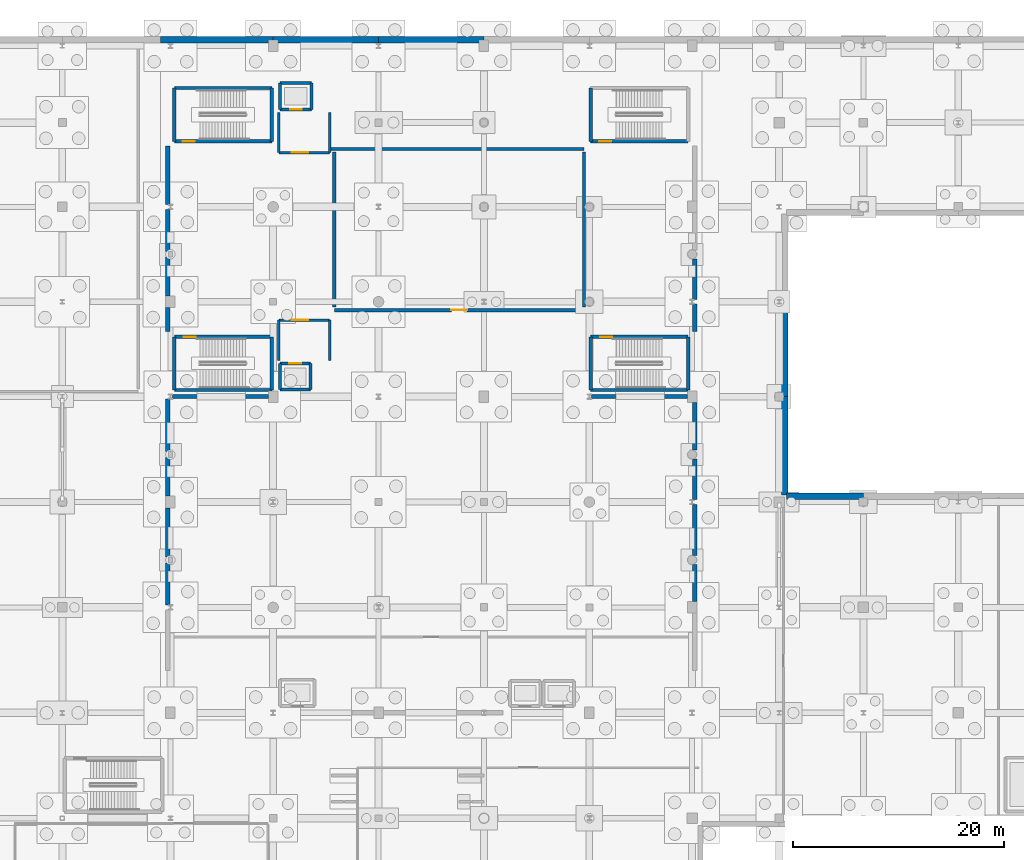
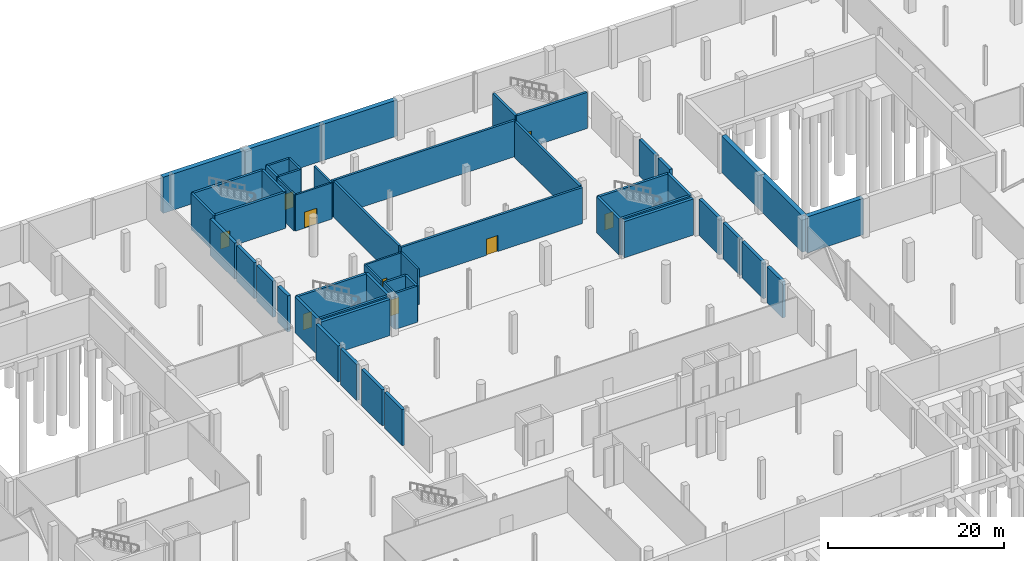
# One storey, part 47 of 60: 54 walls, 9 doors, 9 openings.
"""IFC4 building model written with IfcOpenShell, lengths in metres."""

import ifcopenshell
import ifcopenshell.guid

model = None  # the IFC model being written
_history = None  # IfcOwnerHistory: only IFC2X3 demands one
_inside = {}  # id of a spatial element -> (the spatial element, [elements in it])
_under = {}  # id of a project, library or spatial element -> (it, [spatial elements below it])
_declared = {}  # id of a project -> (the project, [libraries it declares])
_typed = {}  # id of a type object -> (the type object, [elements of that type])
_made_of = {}  # id of a material, layer set ... -> (it, [elements and type objects made of it])


def new_model(schema):
    """Start an empty IFC model of exactly this schema.

    Asked for "IFC4X3", IfcOpenShell would pick the latest addendum, in which some entities
    have other attributes; the version numbers below select the first issue.
    IFC2X3 requires an IfcOwnerHistory on every rooted entity: one is made here for all.
    """
    global model, _history
    if schema == "IFC4X3":
        model = ifcopenshell.file(schema_version=(4, 3, 0, 0))
    else:
        model = ifcopenshell.file(schema=schema)
    _inside.clear()
    _under.clear()
    _declared.clear()
    _typed.clear()
    _made_of.clear()
    _history = None
    if model.schema == "IFC2X3":
        org = make("IfcOrganization", Name="unknown")
        user = make(
            "IfcPersonAndOrganization",
            ThePerson=make("IfcPerson", FamilyName="unknown"),
            TheOrganization=org,
        )
        app = make(
            "IfcApplication",
            ApplicationDeveloper=org,
            Version="unknown",
            ApplicationFullName="unknown",
            ApplicationIdentifier="unknown",
        )
        _history = make(
            "IfcOwnerHistory",
            OwningUser=user,
            OwningApplication=app,
            ChangeAction="ADDED",
            CreationDate=0,
        )
    return model


def make(cls, **values):
    """One entity of the class cls with the attributes given. An attribute that is None is left unset."""
    return model.create_entity(
        cls, **{name: value for name, value in values.items() if value is not None}
    )


def rooted(cls, **values):
    """An entity with a GlobalId (a new one), such as an element, a storey or a relation."""
    return make(cls, GlobalId=ifcopenshell.guid.new(), OwnerHistory=_history, **values)


def si_unit(unit_type, name, prefix=None):
    """IfcSIUnit, for example si_unit("LENGTHUNIT", "METRE", prefix="MILLI")."""
    return make("IfcSIUnit", UnitType=unit_type, Prefix=prefix, Name=name)


def assignment(units):
    """IfcUnitAssignment: the units of a project."""
    return None if units is None else make("IfcUnitAssignment", Units=units)


def point(xyz):
    """IfcCartesianPoint."""
    return None if xyz is None else make("IfcCartesianPoint", Coordinates=xyz)


def direction(xyz):
    """IfcDirection."""
    return None if xyz is None else make("IfcDirection", DirectionRatios=xyz)


def frame(location, z_axis=None, x_axis=None):
    """IfcAxis2Placement3D, a coordinate frame: its origin and axes. An axis left out is left unset."""
    return make(
        "IfcAxis2Placement3D",
        Location=point(location),
        Axis=direction(z_axis),
        RefDirection=direction(x_axis),
    )


def frame_2d(location, x_axis=None):
    """IfcAxis2Placement2D, a coordinate frame in the plane: its origin and x axis."""
    return make(
        "IfcAxis2Placement2D", Location=point(location), RefDirection=direction(x_axis)
    )


def origin():
    """The frame at (0, 0, 0) with its axes left unset."""
    return frame((0.0, 0.0, 0.0))


def place(relative_to, where):
    """IfcLocalPlacement: puts the frame where relative to a parent placement (None: the world)."""
    return make(
        "IfcLocalPlacement", PlacementRelTo=relative_to, RelativePlacement=where
    )


def context(
    kind, dimensions, precision=None, world=None, true_north=None, identifier=None
):
    """IfcGeometricRepresentationContext, for example the 3D "Model" context."""
    return make(
        "IfcGeometricRepresentationContext",
        ContextIdentifier=identifier,
        ContextType=kind,
        CoordinateSpaceDimension=dimensions,
        Precision=precision,
        WorldCoordinateSystem=world,
        TrueNorth=true_north,
    )


def subcontext(parent, identifier, kind, view, scale=None):
    """IfcGeometricRepresentationSubContext, for example "Body" below "Model"."""
    return make(
        "IfcGeometricRepresentationSubContext",
        ContextIdentifier=identifier,
        ContextType=kind,
        ParentContext=parent,
        TargetScale=scale,
        TargetView=view,
    )


def project(units=None, contexts=None):
    """IfcProject with its units and contexts."""
    return rooted(
        "IfcProject",
        Name="project",
        RepresentationContexts=contexts,
        UnitsInContext=assignment(units),
    )


def spatial(cls, under=None, at=None, **own):
    """A site, building, storey or space (cls), placed at a placement, below another one or the project."""
    s = rooted(cls, ObjectPlacement=at, **own)
    if under is not None:
        _under.setdefault(under.id(), (under, []))[1].append(s)
    return s


def profile(cls, at=None, kind="AREA", **sizes):
    """A parametric profile (cls). Its sizes go by their IFC names, for example OverallWidth=200.0."""
    return make(cls, ProfileType=kind, Position=at, **sizes)


def rectangle(**sizes):
    """IfcRectangleProfileDef."""
    return profile("IfcRectangleProfileDef", **sizes)


def extrude(swept, where, along, depth):
    """IfcExtrudedAreaSolid: the profile swept, set in the frame where, extruded along a direction by depth."""
    return make(
        "IfcExtrudedAreaSolid",
        SweptArea=swept,
        Position=where,
        ExtrudedDirection=direction(along),
        Depth=depth,
    )


def shape(context_of_items, identifier, shape_type, items):
    """IfcShapeRepresentation: the items that make up one representation, for example the "Body"."""
    return make(
        "IfcShapeRepresentation",
        ContextOfItems=context_of_items,
        RepresentationIdentifier=identifier,
        RepresentationType=shape_type,
        Items=items,
    )


def material(Name=None, Category=None):
    """IfcMaterial."""
    return make("IfcMaterial", Name=Name, Category=Category)


def layer(
    of_material, thickness, ventilated=None, Name=None, Category=None, Priority=None
):
    """IfcMaterialLayer: one layer of a wall or slab, of a material (None: an air gap)."""
    return make(
        "IfcMaterialLayer",
        Material=of_material,
        LayerThickness=thickness,
        IsVentilated=ventilated,
        Name=Name,
        Category=Category,
        Priority=Priority,
    )


def layer_set(layers, Name=None):
    """IfcMaterialLayerSet."""
    return make("IfcMaterialLayerSet", MaterialLayers=layers, LayerSetName=Name)


def made_of(thing, what):
    """Note that an element or type object is made of a material, layer set ...; save() writes the relation."""
    if what is not None:
        _made_of.setdefault(what.id(), (what, []))[1].append(thing)
    return thing


def type_object(cls, material=None, **own):
    """A type object (cls), such as IfcWallType, which elements share."""
    return made_of(rooted(cls, **own), material)


def element(
    cls,
    number,
    at=None,
    inside=None,
    cuts=None,
    type_object=None,
    material=None,
    context=None,
    identifier="Body",
    shape_type=None,
    held_by="IfcProductDefinitionShape",
    body=None,
    shapes=None,
    **own,
):
    """One element of the class cls, such as IfcWall. Its Tag is "e" and its number.

    at: its placement. inside: the storey or other place that contains it. cuts: it is an
    opening in that element (IfcRelVoidsElement). A single representation is given by context,
    identifier, shape_type and body (its items); several are given by shapes. held_by: the class
    of the entity that holds the representations. save() writes the other relations.
    """
    e = rooted(cls, Tag="e%d" % number, ObjectPlacement=at, **own)
    if body is not None:
        shapes = [shape(context, identifier, shape_type, body)]
    if shapes is not None:
        e.Representation = make(held_by, Representations=shapes)
    if inside is not None:
        _inside.setdefault(inside.id(), (inside, []))[1].append(e)
    if cuts is not None:
        rooted(
            "IfcRelVoidsElement", RelatingBuildingElement=cuts, RelatedOpeningElement=e
        )
    if type_object is not None:
        _typed.setdefault(type_object.id(), (type_object, []))[1].append(e)
    return made_of(e, material)


def fill(opening, filler):
    """IfcRelFillsElement: the door or window that sits in an opening."""
    return rooted(
        "IfcRelFillsElement",
        RelatingOpeningElement=opening,
        RelatedBuildingElement=filler,
    )


def aggregate(whole, parts):
    """IfcRelAggregates: a whole, such as a stair, and the parts it consists of."""
    return rooted("IfcRelAggregates", RelatingObject=whole, RelatedObjects=parts)


def save(model, path):
    """Write the relations noted so far, then the file.

    IfcRelAggregates (storeys below a building ...), IfcRelContainedInSpatialStructure (elements
    in a storey), IfcRelDefinesByType, IfcRelAssociatesMaterial and IfcRelDeclares: one each for
    every whole, place, type object, material and project.
    """
    for whole, parts in _under.values():
        aggregate(whole, parts)
    for where, things in _inside.values():
        rooted(
            "IfcRelContainedInSpatialStructure",
            RelatedElements=things,
            RelatingStructure=where,
        )
    for kind, things in _typed.values():
        rooted("IfcRelDefinesByType", RelatedObjects=things, RelatingType=kind)
    for what, things in _made_of.values():
        rooted("IfcRelAssociatesMaterial", RelatedObjects=things, RelatingMaterial=what)
    for by, libraries in _declared.values():
        rooted("IfcRelDeclares", RelatingContext=by, RelatedDefinitions=libraries)
    model.write(path)


model = new_model("IFC4")

# Units and contexts
model_context = context("Model", 3, precision=1e-05, world=origin(), true_north=direction((0.0, 1.0)))
body_context = subcontext(model_context, "Body", "Model", "MODEL_VIEW")
ifc_project = project(units=[si_unit("LENGTHUNIT", "METRE"), si_unit("AREAUNIT", "SQUARE_METRE"), si_unit("VOLUMEUNIT", "CUBIC_METRE"), si_unit("PLANEANGLEUNIT", "RADIAN"), si_unit("MASSUNIT", "GRAM", prefix="KILO")], contexts=[model_context])

# Site, building, storey
site_placement = place(None, origin())
site = spatial("IfcSite", under=ifc_project, at=site_placement, CompositionType="ELEMENT")
building_placement = place(site_placement, origin())
building = spatial("IfcBuilding", under=site, at=building_placement, Name="Trimount Lyric Opera House", CompositionType="ELEMENT")
storey_placement = place(building_placement, frame((0.0, 0.0, -5.39990234375)))
storey = spatial("IfcBuildingStorey", under=building, at=storey_placement, Name="B1", CompositionType="ELEMENT", Elevation=-5.39990234375)

# Walls
ifc_material_1 = material(Name="Concrete C40/50", Category="concrete")
ifc_layer_1 = layer(ifc_material_1, 0.60009765625)
ifc_layer_set_1 = layer_set([ifc_layer_1], Name="WL-RET600")
wall_type_1 = type_object("IfcWallType", Name="WL-RET600", PredefinedType="USERDEFINED", material=ifc_layer_set_1)
wall_1_placement = place(storey_placement, frame((63.320068359375, 117.860107421875, 0.0), z_axis=(0.0, 0.0, 1.0), x_axis=(1.0, 0.0, 0.0)))
element("IfcWall", 1, at=wall_1_placement, inside=storey, type_object=wall_type_1, Name="B1 exterior retaining wall 016", ObjectType="RETAININGWALL", PredefinedType="USERDEFINED", context=body_context, shape_type="SweptSolid", body=[
    extrude(rectangle(XDim=10.679931640625, YDim=0.60009765625, at=frame_2d((5.33984375, 0.0))), origin(), (0.0, 0.0, 1.0), 5.0),
])
for number, where, z_axis, x_axis, name in (
    (2, (74.0, 117.860107421875, 0.0), (0.0, 0.0, 1.0), (1.0, 0.0, 0.0), "B1 exterior retaining wall 017"),
    (3, (84.0, 117.860107421875, 0.0), (0.0, 0.0, 1.0), (1.0, 0.0, 0.0), "B1 exterior retaining wall 018"),
):
    element("IfcWall", number, at=place(storey_placement, frame(where, z_axis=z_axis, x_axis=x_axis)), inside=storey, type_object=wall_type_1, Name=name, ObjectType="RETAININGWALL", PredefinedType="USERDEFINED", context=body_context, shape_type="SweptSolid", body=[
        extrude(rectangle(XDim=10.0, YDim=0.60009765625, at=frame_2d((5.0, 0.0))), origin(), (0.0, 0.0, 1.0), 5.0),
    ])
wall_2_placement = place(storey_placement, frame((122.679931640625, 74.5400390625, 0.0), z_axis=(0.0, 0.0, 1.0), x_axis=(1.0, 0.0, 0.0)))
element("IfcWall", 4, at=wall_2_placement, inside=storey, type_object=wall_type_1, Name="B1 exterior retaining wall 082", ObjectType="RETAININGWALL", PredefinedType="USERDEFINED", context=body_context, shape_type="SweptSolid", body=[
    extrude(rectangle(XDim=7.320068359375, YDim=0.60009765625, at=frame_2d((3.66015625, 0.0))), origin(), (0.0, 0.0, 1.0), 5.02001953125),
])
wall_3_placement = place(storey_placement, frame((122.5400390625, 93.0, 0.0), z_axis=(0.0, 0.0, 1.0), x_axis=(0.0, -1.0, 0.0)))
element("IfcWall", 5, at=wall_3_placement, inside=storey, type_object=wall_type_1, Name="B1 exterior retaining wall 092", ObjectType="RETAININGWALL", PredefinedType="USERDEFINED", context=body_context, shape_type="SweptSolid", body=[
    extrude(rectangle(XDim=9.0, YDim=0.60009765625, at=frame_2d((4.5, 0.0))), origin(), (0.0, 0.0, 1.0), 5.02001953125),
])
wall_4_placement = place(storey_placement, frame((122.5400390625, 84.0, 0.0), z_axis=(0.0, 0.0, 1.0), x_axis=(0.0, -1.0, 0.0)))
element("IfcWall", 6, at=wall_4_placement, inside=storey, type_object=wall_type_1, Name="B1 exterior retaining wall 093", ObjectType="RETAININGWALL", PredefinedType="USERDEFINED", context=body_context, shape_type="SweptSolid", body=[
    extrude(rectangle(XDim=9.320068359375, YDim=0.60009765625, at=frame_2d((4.66015625, 0.0))), origin(), (0.0, 0.0, 1.0), 5.02001953125),
])
ifc_material_2 = material(Name="Concrete C40/50", Category="concrete")
ifc_layer_2 = layer(ifc_material_2, 0.280029296875)
ifc_layer_set_2 = layer_set([ifc_layer_2], Name="WL-SH280")
wall_type_2 = type_object("IfcWallType", Name="WL-SH280", PredefinedType="SHEAR", material=ifc_layer_set_2)
wall_5_placement = place(storey_placement, frame((74.659912109375, 84.659912109375, 0.0), z_axis=(0.0, 0.0, 1.0), x_axis=(1.0, 0.0, 0.0)))
element("IfcWall", 7, at=wall_5_placement, inside=storey, type_object=wall_type_2, Name="Lift LF-01 B1 south shaft wall", PredefinedType="SHEAR", context=body_context, shape_type="SweptSolid", body=[
    extrude(rectangle(XDim=2.880126953125, YDim=0.280029296875, at=frame_2d((1.43994140625, 0.0))), origin(), (0.0, 0.0, 1.0), 5.0),
])

# Wall, opening, door
wall_6_placement = place(storey_placement, frame((77.5400390625, 87.139892578125, 0.0), z_axis=(0.0, 0.0, 1.0), x_axis=(-1.0, 0.0, 0.0)))
wall_6 = element("IfcWall", 8, at=wall_6_placement, inside=storey, type_object=wall_type_2, Name="Lift LF-01 B1 north shaft wall", PredefinedType="SHEAR", context=body_context, shape_type="SweptSolid", body=[
    extrude(rectangle(XDim=2.880126953125, YDim=0.280029296875, at=frame_2d((1.43994140625, 0.0))), origin(), (0.0, 0.0, 1.0), 5.0),
])
opening_1_placement = place(wall_6_placement, frame((0.889892578125, 0.0, 0.0)))
opening_1 = element("IfcOpeningElement", 9, at=opening_1_placement, cuts=wall_6, Name="Opening DT-LD1", PredefinedType="OPENING", context=body_context, shape_type="SweptSolid", body=[
    extrude(rectangle(XDim=1.10009765625, YDim=2.199951171875, at=frame_2d((0.550048828125, 1.10009765625))), frame((0.0, 0.14990234375, 0.0), z_axis=(0.0, -1.0, 0.0), x_axis=(1.0, 0.0, 0.0)), (0.0, 0.0, 1.0), 0.300048828125),
])
ifc_material_3 = material(Name="Brushed Stainless Steel", Category="steel")
door_type_1 = type_object("IfcDoorType", Name="DT-LD1", OperationType="SLIDING_TO_LEFT", PredefinedType="DOOR", material=ifc_material_3)
door_1_placement = place(opening_1_placement, origin())
door_1 = element("IfcDoor", 10, at=door_1_placement, inside=storey, type_object=door_type_1, Name="D-057", OperationType="SLIDING_TO_LEFT", OverallHeight=2.199951171875, OverallWidth=1.10009765625, PredefinedType="DOOR", context=body_context, shape_type="SweptSolid", body=[
    extrude(rectangle(XDim=1.10009765625, YDim=2.199951171875, at=frame_2d((0.550048828125, 1.10009765625))), frame((0.0, 0.02490234375, 0.0), z_axis=(0.0, -1.0, 0.0), x_axis=(1.0, 0.0, 0.0)), (0.0, 0.0, 1.0), 0.050048828125),
])
fill(opening_1, door_1)

# Walls
for number, where, z_axis, x_axis, name in (
    (11, (74.659912109375, 87.139892578125, 0.0), (0.0, 0.0, 1.0), (0.0, -1.0, 0.0), "Lift LF-01 B1 west shaft wall"),
    (12, (77.5400390625, 84.659912109375, 0.0), (0.0, 0.0, 1.0), (0.0, 1.0, 0.0), "Lift LF-01 B1 east shaft wall"),
):
    element("IfcWall", number, at=place(storey_placement, frame(where, z_axis=z_axis, x_axis=x_axis)), inside=storey, type_object=wall_type_2, Name=name, PredefinedType="SHEAR", context=body_context, shape_type="SweptSolid", body=[
        extrude(rectangle(XDim=2.47998046875, YDim=0.280029296875, at=frame_2d((1.239990234375, 0.0))), origin(), (0.0, 0.0, 1.0), 5.0),
    ])

# Wall, opening, door
wall_7_placement = place(storey_placement, frame((74.659912109375, 111.260009765625, 0.0), z_axis=(0.0, 0.0, 1.0), x_axis=(1.0, 0.0, 0.0)))
wall_7 = element("IfcWall", 13, at=wall_7_placement, inside=storey, type_object=wall_type_2, Name="Lift LF-05 B1 south shaft wall", PredefinedType="SHEAR", context=body_context, shape_type="SweptSolid", body=[
    extrude(rectangle(XDim=2.97998046875, YDim=0.280029296875, at=frame_2d((1.489990234375, 0.0))), origin(), (0.0, 0.0, 1.0), 5.0),
])
opening_2_placement = place(wall_7_placement, frame((0.93994140625, 0.0, 0.0)))
opening_2 = element("IfcOpeningElement", 14, at=opening_2_placement, cuts=wall_7, Name="Opening DT-LD1", PredefinedType="OPENING", context=body_context, shape_type="SweptSolid", body=[
    extrude(rectangle(XDim=1.10009765625, YDim=2.199951171875, at=frame_2d((0.550048828125, 1.10009765625))), frame((0.0, 0.14990234375, 0.0), z_axis=(0.0, -1.0, 0.0), x_axis=(1.0, 0.0, 0.0)), (0.0, 0.0, 1.0), 0.300048828125),
])
door_2_placement = place(opening_2_placement, origin())
door_2 = element("IfcDoor", 15, at=door_2_placement, inside=storey, type_object=door_type_1, Name="D-091", OperationType="SLIDING_TO_LEFT", OverallHeight=2.199951171875, OverallWidth=1.10009765625, PredefinedType="DOOR", context=body_context, shape_type="SweptSolid", body=[
    extrude(rectangle(XDim=1.10009765625, YDim=2.199951171875, at=frame_2d((0.550048828125, 1.10009765625))), frame((0.0, 0.02490234375, 0.0), z_axis=(0.0, -1.0, 0.0), x_axis=(1.0, 0.0, 0.0)), (0.0, 0.0, 1.0), 0.050048828125),
])
fill(opening_2, door_2)

# Walls
wall_8_placement = place(storey_placement, frame((77.639892578125, 113.739990234375, 0.0), z_axis=(0.0, 0.0, 1.0), x_axis=(-1.0, 0.0, 0.0)))
element("IfcWall", 16, at=wall_8_placement, inside=storey, type_object=wall_type_2, Name="Lift LF-05 B1 north shaft wall", PredefinedType="SHEAR", context=body_context, shape_type="SweptSolid", body=[
    extrude(rectangle(XDim=2.97998046875, YDim=0.280029296875, at=frame_2d((1.489990234375, 0.0))), origin(), (0.0, 0.0, 1.0), 5.0),
])
for number, where, z_axis, x_axis, name in (
    (17, (74.659912109375, 113.739990234375, 0.0), (0.0, 0.0, 1.0), (0.0, -1.0, 0.0), "Lift LF-05 B1 west shaft wall"),
    (18, (77.639892578125, 111.260009765625, 0.0), (0.0, 0.0, 1.0), (0.0, 1.0, 0.0), "Lift LF-05 B1 east shaft wall"),
):
    element("IfcWall", number, at=place(storey_placement, frame(where, z_axis=z_axis, x_axis=x_axis)), inside=storey, type_object=wall_type_2, Name=name, PredefinedType="SHEAR", context=body_context, shape_type="SweptSolid", body=[
        extrude(rectangle(XDim=2.47998046875, YDim=0.280029296875, at=frame_2d((1.239990234375, 0.0))), origin(), (0.0, 0.0, 1.0), 5.0),
    ])

# Wall, opening, door
ifc_material_4 = material(Name="Concrete C40/50", Category="concrete")
ifc_layer_3 = layer(ifc_material_4, 0.300048828125)
ifc_layer_set_3 = layer_set([ifc_layer_3], Name="WL-SH300")
wall_type_3 = type_object("IfcWallType", Name="WL-SH300", PredefinedType="SHEAR", material=ifc_layer_set_3)
wall_9_placement = place(storey_placement, frame((79.800048828125, 92.199951171875, 0.0), z_axis=(0.0, 0.0, 1.0), x_axis=(1.0, 0.0, 0.0)))
wall_9 = element("IfcWall", 19, at=wall_9_placement, inside=storey, type_object=wall_type_3, Name="B1 Understage Stage Machinery Hall S partition", PredefinedType="SHEAR", context=body_context, shape_type="SweptSolid", body=[
    extrude(rectangle(XDim=23.699951171875, YDim=0.300048828125, at=frame_2d((11.85009765625, 0.0))), origin(), (0.0, 0.0, 1.0), 5.0),
])
opening_3_placement = place(wall_9_placement, frame((11.10009765625, 0.0, 0.0)))
opening_3 = element("IfcOpeningElement", 20, at=opening_3_placement, cuts=wall_9, Name="Opening DT-PL1", PredefinedType="OPENING", context=body_context, shape_type="SweptSolid", body=[
    extrude(rectangle(XDim=1.5, YDim=2.25, at=frame_2d((0.75, 1.125))), frame((0.0, 0.16015625, 0.0), z_axis=(0.0, -1.0, 0.0), x_axis=(1.0, 0.0, 0.0)), (0.0, 0.0, 1.0), 0.320068359375),
])
ifc_material_5 = material(Name="Fire-Rated Painted Steel", Category="steel")
door_type_2 = type_object("IfcDoorType", Name="DT-PL1", OperationType="DOUBLE_DOOR_SINGLE_SWING", PredefinedType="DOOR", material=ifc_material_5)
door_3_placement = place(opening_3_placement, origin())
door_3 = element("IfcDoor", 21, at=door_3_placement, inside=storey, type_object=door_type_2, Name="D-164", OperationType="DOUBLE_DOOR_SINGLE_SWING", OverallHeight=2.25, OverallWidth=1.5, PredefinedType="DOOR", context=body_context, shape_type="SweptSolid", body=[
    extrude(rectangle(XDim=1.5, YDim=2.25, at=frame_2d((0.75, 1.125))), frame((0.0, 0.02490234375, 0.0), z_axis=(0.0, -1.0, 0.0), x_axis=(1.0, 0.0, 0.0)), (0.0, 0.0, 1.0), 0.050048828125),
])
fill(opening_3, door_3)

# Walls
wall_10_placement = place(storey_placement, frame((103.5, 107.5, 0.0), z_axis=(0.0, 0.0, 1.0), x_axis=(-1.0, 0.0, 0.0)))
element("IfcWall", 22, at=wall_10_placement, inside=storey, type_object=wall_type_3, Name="B1 Understage Stage Machinery Hall N partition", PredefinedType="SHEAR", context=body_context, shape_type="SweptSolid", body=[
    extrude(rectangle(XDim=24.010009765625, YDim=0.300048828125, at=frame_2d((12.0048828125, 0.0))), origin(), (0.0, 0.0, 1.0), 5.0),
])
for number, where, z_axis, x_axis, name in (
    (23, (79.800048828125, 107.199951171875, 0.0), (0.0, 0.0, 1.0), (0.0, -1.0, 0.0), "B1 Understage Stage Machinery Hall W partition"),
    (24, (103.5, 92.5, 0.0), (0.0, 0.0, 1.0), (0.0, 1.0, 0.0), "B1 Understage Stage Machinery Hall E partition"),
):
    element("IfcWall", number, at=place(storey_placement, frame(where, z_axis=z_axis, x_axis=x_axis)), inside=storey, type_object=wall_type_3, Name=name, PredefinedType="SHEAR", context=body_context, shape_type="SweptSolid", body=[
        extrude(rectangle(XDim=14.699951171875, YDim=0.300048828125, at=frame_2d((7.35009765625, 0.0))), origin(), (0.0, 0.0, 1.0), 5.0),
    ])

# Wall, opening, door
ifc_material_6 = material(Name="Concrete C40/50", Category="concrete")
ifc_layer_4 = layer(ifc_material_6, 0.320068359375)
ifc_layer_set_4 = layer_set([ifc_layer_4], Name="WL-SH320")
wall_type_4 = type_object("IfcWallType", Name="WL-SH320", PredefinedType="SHEAR", material=ifc_layer_set_4)
wall_11_placement = place(storey_placement, frame((64.625, 108.22509765625, 0.0), z_axis=(0.0, 0.0, 1.0), x_axis=(1.0, 0.0, 0.0)))
wall_11 = element("IfcWall", 25, at=wall_11_placement, inside=storey, type_object=wall_type_4, Name="K1 B1 south shaft wall", PredefinedType="SHEAR", context=body_context, shape_type="SweptSolid", body=[
    extrude(rectangle(XDim=9.25, YDim=0.320068359375, at=frame_2d((4.625, 0.0))), origin(), (0.0, 0.0, 1.0), 5.0),
])
opening_4_placement = place(wall_11_placement, frame((0.800048828125, 0.0, 0.0)))
opening_4 = element("IfcOpeningElement", 26, at=opening_4_placement, cuts=wall_11, Name="Opening DT-ST1", PredefinedType="OPENING", context=body_context, shape_type="SweptSolid", body=[
    extrude(rectangle(XDim=1.14990234375, YDim=2.199951171875, at=frame_2d((0.574951171875, 1.10009765625))), frame((0.0, 0.169921875, 0.0), z_axis=(0.0, -1.0, 0.0), x_axis=(1.0, 0.0, 0.0)), (0.0, 0.0, 1.0), 0.340087890625),
])
ifc_material_7 = material(Name="Fire-Rated Hollow Steel", Category="steel")
door_type_3 = type_object("IfcDoorType", Name="DT-ST1", OperationType="NOTDEFINED", PredefinedType="DOOR", material=ifc_material_7)
door_4_placement = place(opening_4_placement, origin())
door_4 = element("IfcDoor", 27, at=door_4_placement, inside=storey, type_object=door_type_3, Name="D-007", OperationType="SINGLE_SWING_LEFT", OverallHeight=2.199951171875, OverallWidth=1.14990234375, PredefinedType="DOOR", context=body_context, shape_type="SweptSolid", body=[
    extrude(rectangle(XDim=1.14990234375, YDim=2.199951171875, at=frame_2d((0.574951171875, 1.10009765625))), frame((0.0, 0.02490234375, 0.0), z_axis=(0.0, -1.0, 0.0), x_axis=(1.0, 0.0, 0.0)), (0.0, 0.0, 1.0), 0.050048828125),
])
fill(opening_4, door_4)

# Walls
wall_12_placement = place(storey_placement, frame((73.875, 113.27490234375, 0.0), z_axis=(0.0, 0.0, 1.0), x_axis=(-1.0, 0.0, 0.0)))
element("IfcWall", 28, at=wall_12_placement, inside=storey, type_object=wall_type_4, Name="K1 B1 north shaft wall", PredefinedType="SHEAR", context=body_context, shape_type="SweptSolid", body=[
    extrude(rectangle(XDim=9.25, YDim=0.320068359375, at=frame_2d((4.625, 0.0))), origin(), (0.0, 0.0, 1.0), 5.0),
])
for number, where, z_axis, x_axis, name in (
    (29, (64.625, 113.27490234375, 0.0), (0.0, 0.0, 1.0), (0.0, -1.0, 0.0), "K1 B1 west shaft wall"),
    (30, (73.875, 108.22509765625, 0.0), (0.0, 0.0, 1.0), (0.0, 1.0, 0.0), "K1 B1 east shaft wall"),
):
    element("IfcWall", number, at=place(storey_placement, frame(where, z_axis=z_axis, x_axis=x_axis)), inside=storey, type_object=wall_type_4, Name=name, PredefinedType="SHEAR", context=body_context, shape_type="SweptSolid", body=[
        extrude(rectangle(XDim=5.0498046875, YDim=0.320068359375, at=frame_2d((2.52490234375, 0.0))), origin(), (0.0, 0.0, 1.0), 5.0),
    ])

# Wall, opening, door
wall_13_placement = place(storey_placement, frame((104.125, 108.22509765625, 0.0), z_axis=(0.0, 0.0, 1.0), x_axis=(1.0, 0.0, 0.0)))
wall_13 = element("IfcWall", 31, at=wall_13_placement, inside=storey, type_object=wall_type_4, Name="K2 B1 south shaft wall", PredefinedType="SHEAR", context=body_context, shape_type="SweptSolid", body=[
    extrude(rectangle(XDim=9.25, YDim=0.320068359375, at=frame_2d((4.625, 0.0))), origin(), (0.0, 0.0, 1.0), 5.0),
])
opening_5_placement = place(wall_13_placement, frame((0.800048828125, 0.0, 0.0)))
opening_5 = element("IfcOpeningElement", 32, at=opening_5_placement, cuts=wall_13, Name="Opening DT-ST1", PredefinedType="OPENING", context=body_context, shape_type="SweptSolid", body=[
    extrude(rectangle(XDim=1.14990234375, YDim=2.199951171875, at=frame_2d((0.574951171875, 1.10009765625))), frame((0.0, 0.169921875, 0.0), z_axis=(0.0, -1.0, 0.0), x_axis=(1.0, 0.0, 0.0)), (0.0, 0.0, 1.0), 0.340087890625),
])
door_5_placement = place(opening_5_placement, origin())
door_5 = element("IfcDoor", 33, at=door_5_placement, inside=storey, type_object=door_type_3, Name="D-015", OperationType="SINGLE_SWING_LEFT", OverallHeight=2.199951171875, OverallWidth=1.14990234375, PredefinedType="DOOR", context=body_context, shape_type="SweptSolid", body=[
    extrude(rectangle(XDim=1.14990234375, YDim=2.199951171875, at=frame_2d((0.574951171875, 1.10009765625))), frame((0.0, 0.02490234375, 0.0), z_axis=(0.0, -1.0, 0.0), x_axis=(1.0, 0.0, 0.0)), (0.0, 0.0, 1.0), 0.050048828125),
])
fill(opening_5, door_5)

# Walls
wall_14_placement = place(storey_placement, frame((104.125, 113.27490234375, 0.0), z_axis=(0.0, 0.0, 1.0), x_axis=(0.0, -1.0, 0.0)))
element("IfcWall", 34, at=wall_14_placement, inside=storey, type_object=wall_type_4, Name="K2 B1 west shaft wall", PredefinedType="SHEAR", context=body_context, shape_type="SweptSolid", body=[
    extrude(rectangle(XDim=5.0498046875, YDim=0.320068359375, at=frame_2d((2.52490234375, 0.0))), origin(), (0.0, 0.0, 1.0), 5.0),
])
wall_15_placement = place(storey_placement, frame((64.625, 84.625, 0.0), z_axis=(0.0, 0.0, 1.0), x_axis=(1.0, 0.0, 0.0)))
element("IfcWall", 35, at=wall_15_placement, inside=storey, type_object=wall_type_4, Name="K3 B1 south shaft wall", PredefinedType="SHEAR", context=body_context, shape_type="SweptSolid", body=[
    extrude(rectangle(XDim=9.25, YDim=0.320068359375, at=frame_2d((4.625, 0.0))), origin(), (0.0, 0.0, 1.0), 5.0),
])

# Wall, opening, door
wall_16_placement = place(storey_placement, frame((73.875, 89.675048828125, 0.0), z_axis=(0.0, 0.0, 1.0), x_axis=(-1.0, 0.0, 0.0)))
wall_16 = element("IfcWall", 36, at=wall_16_placement, inside=storey, type_object=wall_type_4, Name="K3 B1 north shaft wall", PredefinedType="SHEAR", context=body_context, shape_type="SweptSolid", body=[
    extrude(rectangle(XDim=9.25, YDim=0.320068359375, at=frame_2d((4.625, 0.0))), origin(), (0.0, 0.0, 1.0), 5.0),
])
opening_6_placement = place(wall_16_placement, frame((7.199951171875, 0.0, 0.0)))
opening_6 = element("IfcOpeningElement", 37, at=opening_6_placement, cuts=wall_16, Name="Opening DT-ST1", PredefinedType="OPENING", context=body_context, shape_type="SweptSolid", body=[
    extrude(rectangle(XDim=1.14990234375, YDim=2.199951171875, at=frame_2d((0.574951171875, 1.10009765625))), frame((0.0, 0.169921875, 0.0), z_axis=(0.0, -1.0, 0.0), x_axis=(1.0, 0.0, 0.0)), (0.0, 0.0, 1.0), 0.340087890625),
])
door_6_placement = place(opening_6_placement, origin())
door_6 = element("IfcDoor", 38, at=door_6_placement, inside=storey, type_object=door_type_3, Name="D-023", OperationType="SINGLE_SWING_LEFT", OverallHeight=2.199951171875, OverallWidth=1.14990234375, PredefinedType="DOOR", context=body_context, shape_type="SweptSolid", body=[
    extrude(rectangle(XDim=1.14990234375, YDim=2.199951171875, at=frame_2d((0.574951171875, 1.10009765625))), frame((0.0, 0.02490234375, 0.0), z_axis=(0.0, -1.0, 0.0), x_axis=(1.0, 0.0, 0.0)), (0.0, 0.0, 1.0), 0.050048828125),
])
fill(opening_6, door_6)

# Walls
for number, where, z_axis, x_axis, name in (
    (39, (64.625, 89.675048828125, 0.0), (0.0, 0.0, 1.0), (0.0, -1.0, 0.0), "K3 B1 west shaft wall"),
    (40, (73.875, 84.625, 0.0), (0.0, 0.0, 1.0), (0.0, 1.0, 0.0), "K3 B1 east shaft wall"),
):
    element("IfcWall", number, at=place(storey_placement, frame(where, z_axis=z_axis, x_axis=x_axis)), inside=storey, type_object=wall_type_4, Name=name, PredefinedType="SHEAR", context=body_context, shape_type="SweptSolid", body=[
        extrude(rectangle(XDim=5.050048828125, YDim=0.320068359375, at=frame_2d((2.52490234375, 0.0))), origin(), (0.0, 0.0, 1.0), 5.0),
    ])
wall_17_placement = place(storey_placement, frame((104.125, 84.625, 0.0), z_axis=(0.0, 0.0, 1.0), x_axis=(1.0, 0.0, 0.0)))
element("IfcWall", 41, at=wall_17_placement, inside=storey, type_object=wall_type_4, Name="K4 B1 south shaft wall", PredefinedType="SHEAR", context=body_context, shape_type="SweptSolid", body=[
    extrude(rectangle(XDim=9.25, YDim=0.320068359375, at=frame_2d((4.625, 0.0))), origin(), (0.0, 0.0, 1.0), 5.0),
])

# Wall, opening, door
wall_18_placement = place(storey_placement, frame((113.375, 89.675048828125, 0.0), z_axis=(0.0, 0.0, 1.0), x_axis=(-1.0, 0.0, 0.0)))
wall_18 = element("IfcWall", 42, at=wall_18_placement, inside=storey, type_object=wall_type_4, Name="K4 B1 north shaft wall", PredefinedType="SHEAR", context=body_context, shape_type="SweptSolid", body=[
    extrude(rectangle(XDim=9.25, YDim=0.320068359375, at=frame_2d((4.625, 0.0))), origin(), (0.0, 0.0, 1.0), 5.0),
])
opening_7_placement = place(wall_18_placement, frame((7.199951171875, 0.0, 0.0)))
opening_7 = element("IfcOpeningElement", 43, at=opening_7_placement, cuts=wall_18, Name="Opening DT-ST1", PredefinedType="OPENING", context=body_context, shape_type="SweptSolid", body=[
    extrude(rectangle(XDim=1.14990234375, YDim=2.199951171875, at=frame_2d((0.574951171875, 1.10009765625))), frame((0.0, 0.169921875, 0.0), z_axis=(0.0, -1.0, 0.0), x_axis=(1.0, 0.0, 0.0)), (0.0, 0.0, 1.0), 0.340087890625),
])
door_7_placement = place(opening_7_placement, origin())
door_7 = element("IfcDoor", 44, at=door_7_placement, inside=storey, type_object=door_type_3, Name="D-031", OperationType="SINGLE_SWING_LEFT", OverallHeight=2.199951171875, OverallWidth=1.14990234375, PredefinedType="DOOR", context=body_context, shape_type="SweptSolid", body=[
    extrude(rectangle(XDim=1.14990234375, YDim=2.199951171875, at=frame_2d((0.574951171875, 1.10009765625))), frame((0.0, 0.02490234375, 0.0), z_axis=(0.0, -1.0, 0.0), x_axis=(1.0, 0.0, 0.0)), (0.0, 0.0, 1.0), 0.050048828125),
])
fill(opening_7, door_7)

# Walls
for number, where, z_axis, x_axis, name in (
    (45, (104.125, 89.675048828125, 0.0), (0.0, 0.0, 1.0), (0.0, -1.0, 0.0), "K4 B1 west shaft wall"),
    (46, (113.375, 84.625, 0.0), (0.0, 0.0, 1.0), (0.0, 1.0, 0.0), "K4 B1 east shaft wall"),
):
    element("IfcWall", number, at=place(storey_placement, frame(where, z_axis=z_axis, x_axis=x_axis)), inside=storey, type_object=wall_type_4, Name=name, PredefinedType="SHEAR", context=body_context, shape_type="SweptSolid", body=[
        extrude(rectangle(XDim=5.050048828125, YDim=0.320068359375, at=frame_2d((2.52490234375, 0.0))), origin(), (0.0, 0.0, 1.0), 5.0),
    ])
ifc_material_8 = material(Name="Concrete C40/50", Category="concrete")
ifc_layer_5 = layer(ifc_material_8, 0.39990234375)
ifc_layer_set_5 = layer_set([ifc_layer_5], Name="WL-SH400")
wall_type_5 = type_object("IfcWallType", Name="WL-SH400", PredefinedType="SHEAR", material=ifc_layer_set_5)
wall_19_placement = place(storey_placement, frame((64.0, 64.232421875, 0.0), z_axis=(0.0, 0.0, 1.0), x_axis=(0.0, 1.0, 0.0)))
element("IfcWall", 47, at=wall_19_placement, inside=storey, type_object=wall_type_5, Name="B1 auditorium west acoustic shear wall", PredefinedType="SHEAR", context=body_context, shape_type="SweptSolid", body=[
    extrude(rectangle(XDim=3.99267578125, YDim=0.39990234375, at=frame_2d((1.996337890625, 0.0))), origin(), (0.0, 0.0, 1.0), 5.0),
])
wall_20_placement = place(storey_placement, frame((64.0, 68.77490234375, 0.0), z_axis=(0.0, 0.0, 1.0), x_axis=(0.0, 1.0, 0.0)))
element("IfcWall", 48, at=wall_20_placement, inside=storey, type_object=wall_type_5, Name="B1 auditorium west acoustic shear wall", PredefinedType="SHEAR", context=body_context, shape_type="SweptSolid", body=[
    extrude(rectangle(XDim=4.675048828125, YDim=0.39990234375, at=frame_2d((2.33740234375, 0.0))), origin(), (0.0, 0.0, 1.0), 5.0),
])
wall_21_placement = place(storey_placement, frame((64.0, 74.550048828125, 0.0), z_axis=(0.0, 0.0, 1.0), x_axis=(0.0, 1.0, 0.0)))
element("IfcWall", 49, at=wall_21_placement, inside=storey, type_object=wall_type_5, Name="B1 auditorium west acoustic shear wall", PredefinedType="SHEAR", context=body_context, shape_type="SweptSolid", body=[
    extrude(rectangle(XDim=3.675048828125, YDim=0.39990234375, at=frame_2d((1.83740234375, 0.0))), origin(), (0.0, 0.0, 1.0), 5.0),
])
wall_22_placement = place(storey_placement, frame((64.0, 78.77490234375, 0.0), z_axis=(0.0, 0.0, 1.0), x_axis=(0.0, 1.0, 0.0)))
element("IfcWall", 50, at=wall_22_placement, inside=storey, type_object=wall_type_5, Name="B1 auditorium west acoustic shear wall", PredefinedType="SHEAR", context=body_context, shape_type="SweptSolid", body=[
    extrude(rectangle(XDim=4.99267578125, YDim=0.39990234375, at=frame_2d((2.496337890625, 0.0))), origin(), (0.0, 0.0, 1.0), 5.0),
])
wall_23_placement = place(storey_placement, frame((114.0, 64.550048828125, 0.0), z_axis=(0.0, 0.0, 1.0), x_axis=(0.0, 1.0, 0.0)))
element("IfcWall", 51, at=wall_23_placement, inside=storey, type_object=wall_type_5, Name="B1 auditorium east acoustic shear wall", PredefinedType="SHEAR", context=body_context, shape_type="SweptSolid", body=[
    extrude(rectangle(XDim=3.52490234375, YDim=0.39990234375, at=frame_2d((1.762451171875, 0.0))), origin(), (0.0, 0.0, 1.0), 5.0),
])
wall_24_placement = place(storey_placement, frame((114.0, 68.925048828125, 0.0), z_axis=(0.0, 0.0, 1.0), x_axis=(0.0, 1.0, 0.0)))
element("IfcWall", 52, at=wall_24_placement, inside=storey, type_object=wall_type_5, Name="B1 auditorium east acoustic shear wall", PredefinedType="SHEAR", context=body_context, shape_type="SweptSolid", body=[
    extrude(rectangle(XDim=4.842529296875, YDim=0.39990234375, at=frame_2d((2.42138671875, 0.0))), origin(), (0.0, 0.0, 1.0), 5.0),
])
wall_25_placement = place(storey_placement, frame((114.0, 74.232421875, 0.0), z_axis=(0.0, 0.0, 1.0), x_axis=(0.0, 1.0, 0.0)))
element("IfcWall", 53, at=wall_25_placement, inside=storey, type_object=wall_type_5, Name="B1 auditorium east acoustic shear wall", PredefinedType="SHEAR", context=body_context, shape_type="SweptSolid", body=[
    extrude(rectangle(XDim=3.842529296875, YDim=0.39990234375, at=frame_2d((1.92138671875, 0.0))), origin(), (0.0, 0.0, 1.0), 5.0),
])
wall_26_placement = place(storey_placement, frame((114.0, 78.925048828125, 0.0), z_axis=(0.0, 0.0, 1.0), x_axis=(0.0, 1.0, 0.0)))
element("IfcWall", 54, at=wall_26_placement, inside=storey, type_object=wall_type_5, Name="B1 auditorium east acoustic shear wall", PredefinedType="SHEAR", context=body_context, shape_type="SweptSolid", body=[
    extrude(rectangle(XDim=4.52490234375, YDim=0.39990234375, at=frame_2d((2.262451171875, 0.0))), origin(), (0.0, 0.0, 1.0), 5.0),
])
wall_27_placement = place(storey_placement, frame((64.0, 90.199951171875, 0.0), z_axis=(0.0, 0.0, 1.0), x_axis=(0.0, 1.0, 0.0)))
element("IfcWall", 55, at=wall_27_placement, inside=storey, type_object=wall_type_5, Name="B1 fly-tower west shear wall", PredefinedType="SHEAR", context=body_context, shape_type="SweptSolid", body=[
    extrude(rectangle(XDim=2.25, YDim=0.39990234375, at=frame_2d((1.125, 0.0))), origin(), (0.0, 0.0, 1.0), 5.0),
])
wall_28_placement = place(storey_placement, frame((64.0, 93.550048828125, 0.0), z_axis=(0.0, 0.0, 1.0), x_axis=(0.0, 1.0, 0.0)))
element("IfcWall", 56, at=wall_28_placement, inside=storey, type_object=wall_type_5, Name="B1 fly-tower west shear wall", PredefinedType="SHEAR", context=body_context, shape_type="SweptSolid", body=[
    extrude(rectangle(XDim=3.675048828125, YDim=0.39990234375, at=frame_2d((1.83740234375, 0.0))), origin(), (0.0, 0.0, 1.0), 5.0),
])
wall_29_placement = place(storey_placement, frame((64.0, 97.77490234375, 0.0), z_axis=(0.0, 0.0, 1.0), x_axis=(0.0, 1.0, 0.0)))
element("IfcWall", 57, at=wall_29_placement, inside=storey, type_object=wall_type_5, Name="B1 fly-tower west shear wall", PredefinedType="SHEAR", context=body_context, shape_type="SweptSolid", body=[
    extrude(rectangle(XDim=3.99267578125, YDim=0.39990234375, at=frame_2d((1.996337890625, 0.0))), origin(), (0.0, 0.0, 1.0), 5.0),
])
wall_30_placement = place(storey_placement, frame((64.0, 102.232421875, 0.0), z_axis=(0.0, 0.0, 1.0), x_axis=(0.0, 1.0, 0.0)))
element("IfcWall", 58, at=wall_30_placement, inside=storey, type_object=wall_type_5, Name="B1 fly-tower west shear wall", PredefinedType="SHEAR", context=body_context, shape_type="SweptSolid", body=[
    extrude(rectangle(XDim=5.567626953125, YDim=0.39990234375, at=frame_2d((2.78369140625, 0.0))), origin(), (0.0, 0.0, 1.0), 5.0),
])
wall_31_placement = place(storey_placement, frame((114.0, 90.199951171875, 0.0), z_axis=(0.0, 0.0, 1.0), x_axis=(0.0, 1.0, 0.0)))
element("IfcWall", 59, at=wall_31_placement, inside=storey, type_object=wall_type_5, Name="B1 fly-tower east shear wall", PredefinedType="SHEAR", context=body_context, shape_type="SweptSolid", body=[
    extrude(rectangle(XDim=2.567626953125, YDim=0.39990234375, at=frame_2d((1.28369140625, 0.0))), origin(), (0.0, 0.0, 1.0), 5.0),
])
wall_32_placement = place(storey_placement, frame((114.0, 93.232421875, 0.0), z_axis=(0.0, 0.0, 1.0), x_axis=(0.0, 1.0, 0.0)))
element("IfcWall", 60, at=wall_32_placement, inside=storey, type_object=wall_type_5, Name="B1 fly-tower east shear wall", PredefinedType="SHEAR", context=body_context, shape_type="SweptSolid", body=[
    extrude(rectangle(XDim=3.842529296875, YDim=0.39990234375, at=frame_2d((1.92138671875, 0.0))), origin(), (0.0, 0.0, 1.0), 5.0),
])
for number, where, z_axis, x_axis, name in (
    (61, (64.470947265625, 84.0, 0.0), (0.0, 0.0, 1.0), (1.0, 0.0, 0.0), "B1 proscenium west wing wall"),
    (62, (104.2109375, 84.0, 0.0), (0.0, 0.0, 1.0), (1.0, 0.0, 0.0), "B1 proscenium east wing wall"),
):
    element("IfcWall", number, at=place(storey_placement, frame(where, z_axis=z_axis, x_axis=x_axis)), inside=storey, type_object=wall_type_5, Name=name, PredefinedType="SHEAR", context=body_context, shape_type="SweptSolid", body=[
        extrude(rectangle(XDim=9.0791015625, YDim=0.39990234375, at=frame_2d((4.53955078125, 0.0))), origin(), (0.0, 0.0, 1.0), 5.0),
    ])

# Wall, opening, door
ifc_material_9 = material(Name="Concrete C35/45", Category="concrete")
ifc_layer_6 = layer(ifc_material_9, 0.239990234375)
ifc_layer_set_6 = layer_set([ifc_layer_6], Name="WL-SW240")
wall_type_6 = type_object("IfcWallType", Name="WL-SW240", PredefinedType="SOLIDWALL", material=ifc_layer_set_6)
wall_33_placement = place(storey_placement, frame((74.550048828125, 91.25, 0.0), z_axis=(0.0, 0.0, 1.0), x_axis=(1.0, 0.0, 0.0)))
wall_33 = element("IfcWall", 63, at=wall_33_placement, inside=storey, type_object=wall_type_6, Name="B1 firefighting lobby LF-01 entry wall", PredefinedType="SOLIDWALL", context=body_context, shape_type="SweptSolid", body=[
    extrude(rectangle(XDim=4.800048828125, YDim=0.239990234375, at=frame_2d((2.39990234375, 0.0))), origin(), (0.0, 0.0, 1.0), 5.0),
])
opening_8_placement = place(wall_33_placement, frame((1.199951171875, 0.0, 0.0)))
opening_8 = element("IfcOpeningElement", 64, at=opening_8_placement, cuts=wall_33, Name="Opening DT-FF1", PredefinedType="OPENING", context=body_context, shape_type="SweptSolid", body=[
    extrude(rectangle(XDim=1.60009765625, YDim=2.199951171875, at=frame_2d((0.800048828125, 1.10009765625))), frame((0.0, 0.1298828125, 0.0), z_axis=(0.0, -1.0, 0.0), x_axis=(1.0, 0.0, 0.0)), (0.0, 0.0, 1.0), 0.260009765625),
])
ifc_material_10 = material(Name="Fire-Rated Hollow Steel", Category="steel")
door_type_4 = type_object("IfcDoorType", Name="DT-FF1", OperationType="DOUBLE_DOOR_SINGLE_SWING", PredefinedType="DOOR", material=ifc_material_10)
door_8_placement = place(opening_8_placement, origin())
door_8 = element("IfcDoor", 65, at=door_8_placement, inside=storey, type_object=door_type_4, Name="D-058", OperationType="DOUBLE_DOOR_SINGLE_SWING", OverallHeight=2.199951171875, OverallWidth=1.60009765625, PredefinedType="DOOR", context=body_context, shape_type="SweptSolid", body=[
    extrude(rectangle(XDim=1.60009765625, YDim=2.199951171875, at=frame_2d((0.800048828125, 1.10009765625))), frame((0.0, 0.02490234375, 0.0), z_axis=(0.0, -1.0, 0.0), x_axis=(1.0, 0.0, 0.0)), (0.0, 0.0, 1.0), 0.050048828125),
])
fill(opening_8, door_8)

# Walls
for number, where, z_axis, x_axis, name in (
    (66, (74.550048828125, 91.25, 0.0), (0.0, 0.0, 1.0), (0.0, -1.0, 0.0), "B1 firefighting lobby LF-01 west wall"),
    (67, (79.35009765625, 87.449951171875, 0.0), (0.0, 0.0, 1.0), (0.0, 1.0, 0.0), "B1 firefighting lobby LF-01 east wall"),
):
    element("IfcWall", number, at=place(storey_placement, frame(where, z_axis=z_axis, x_axis=x_axis)), inside=storey, type_object=wall_type_6, Name=name, PredefinedType="SOLIDWALL", context=body_context, shape_type="SweptSolid", body=[
        extrude(rectangle(XDim=3.800048828125, YDim=0.239990234375, at=frame_2d((1.89990234375, 0.0))), origin(), (0.0, 0.0, 1.0), 5.0),
    ])

# Wall, opening, door
wall_34_placement = place(storey_placement, frame((74.550048828125, 107.14990234375, 0.0), z_axis=(0.0, 0.0, 1.0), x_axis=(1.0, 0.0, 0.0)))
wall_34 = element("IfcWall", 68, at=wall_34_placement, inside=storey, type_object=wall_type_6, Name="B1 firefighting lobby LF-05 entry wall", PredefinedType="SOLIDWALL", context=body_context, shape_type="SweptSolid", body=[
    extrude(rectangle(XDim=4.800048828125, YDim=0.239990234375, at=frame_2d((2.39990234375, 0.0))), origin(), (0.0, 0.0, 1.0), 5.0),
])
opening_9_placement = place(wall_34_placement, frame((1.199951171875, 0.0, 0.0)))
opening_9 = element("IfcOpeningElement", 69, at=opening_9_placement, cuts=wall_34, Name="Opening DT-FF1", PredefinedType="OPENING", context=body_context, shape_type="SweptSolid", body=[
    extrude(rectangle(XDim=1.60009765625, YDim=2.199951171875, at=frame_2d((0.800048828125, 1.10009765625))), frame((0.0, 0.1298828125, 0.0), z_axis=(0.0, -1.0, 0.0), x_axis=(1.0, 0.0, 0.0)), (0.0, 0.0, 1.0), 0.260009765625),
])
door_9_placement = place(opening_9_placement, origin())
door_9 = element("IfcDoor", 70, at=door_9_placement, inside=storey, type_object=door_type_4, Name="D-092", OperationType="DOUBLE_DOOR_SINGLE_SWING", OverallHeight=2.199951171875, OverallWidth=1.60009765625, PredefinedType="DOOR", context=body_context, shape_type="SweptSolid", body=[
    extrude(rectangle(XDim=1.60009765625, YDim=2.199951171875, at=frame_2d((0.800048828125, 1.10009765625))), frame((0.0, 0.02490234375, 0.0), z_axis=(0.0, -1.0, 0.0), x_axis=(1.0, 0.0, 0.0)), (0.0, 0.0, 1.0), 0.050048828125),
])
fill(opening_9, door_9)

# Walls
for number, where, z_axis, x_axis, name in (
    (71, (74.550048828125, 110.949951171875, 0.0), (0.0, 0.0, 1.0), (0.0, -1.0, 0.0), "B1 firefighting lobby LF-05 west wall"),
    (72, (79.35009765625, 107.14990234375, 0.0), (0.0, 0.0, 1.0), (0.0, 1.0, 0.0), "B1 firefighting lobby LF-05 east wall"),
):
    element("IfcWall", number, at=place(storey_placement, frame(where, z_axis=z_axis, x_axis=x_axis)), inside=storey, type_object=wall_type_6, Name=name, PredefinedType="SOLIDWALL", context=body_context, shape_type="SweptSolid", body=[
        extrude(rectangle(XDim=3.800048828125, YDim=0.239990234375, at=frame_2d((1.89990234375, 0.0))), origin(), (0.0, 0.0, 1.0), 5.0),
    ])

save(model, "model.ifc")
